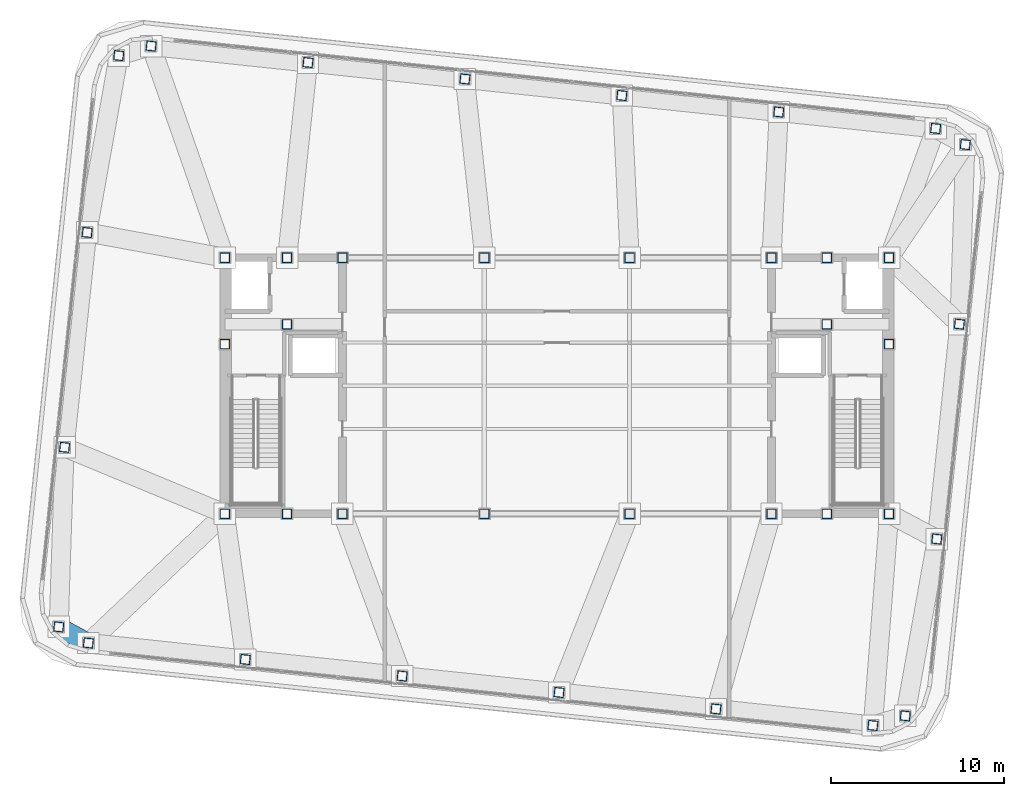
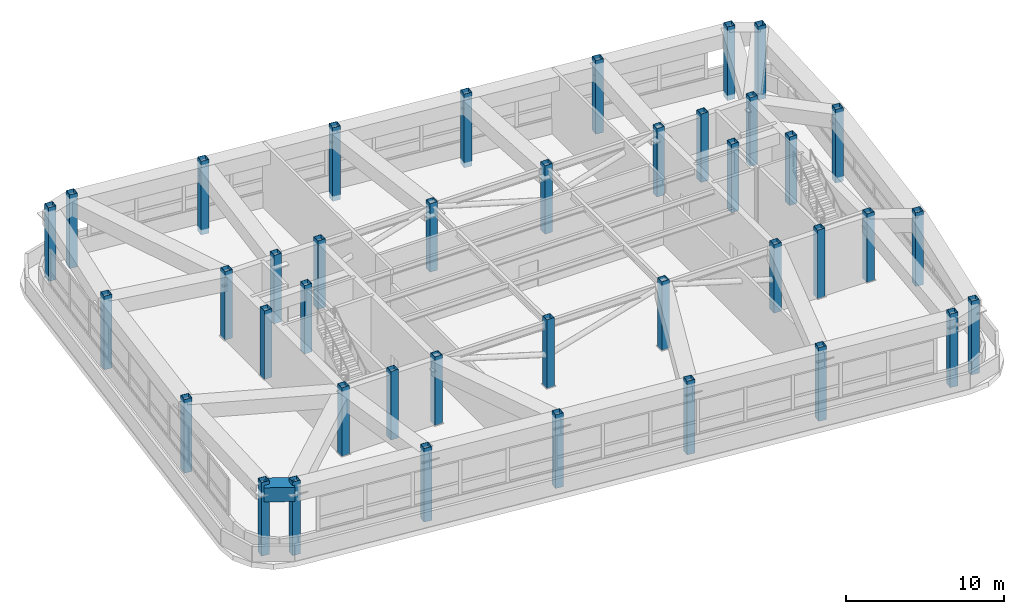
# One storey, part 1 of 22: 40 columns, 1 beam.
"""IFC4 building model written with IfcOpenShell, lengths in metres."""

from ifc_helpers import new_model, si_unit, direction, frame, origin, origin_2d, place, context, subcontext, project, spatial, hollow_rectangle, extrude, material, material_profile, profile_set, type_object, element, save


model = new_model("IFC4")

# Units and contexts
model_context = context("Model", 3, precision=1e-05, world=origin(), true_north=direction((0.0, 1.0)))
body_context = subcontext(model_context, "Body", "Model", "MODEL_VIEW")
ifc_project = project(units=[si_unit("LENGTHUNIT", "METRE"), si_unit("AREAUNIT", "SQUARE_METRE"), si_unit("VOLUMEUNIT", "CUBIC_METRE"), si_unit("PLANEANGLEUNIT", "RADIAN"), si_unit("MASSUNIT", "GRAM", prefix="KILO")], contexts=[model_context])

# Site, building, storey
site_placement = place(None, origin())
site = spatial("IfcSite", under=ifc_project, at=site_placement, CompositionType="ELEMENT")
building_placement = place(site_placement, origin())
building = spatial("IfcBuilding", under=site, at=building_placement, Name="Voryun Gate Residences", CompositionType="ELEMENT")
storey_placement = place(building_placement, frame((0.0, 0.0, 310.699951171875)))
storey = spatial("IfcBuildingStorey", under=building, at=storey_placement, Name="L77", CompositionType="ELEMENT", Elevation=310.699951171875)

# Columns
ifc_material_1 = material(Name="Steel SM355", Category="steel")
ifc_material_profile_1 = material_profile(ifc_material_1, hollow_rectangle(XDim=0.550048828125, YDim=0.550048828125, WallThickness=0.02197265625, at=origin_2d()), Name="BOX-550x550x22")
ifc_profile_set_1 = profile_set([ifc_material_profile_1], Name="Steel SM355")
column_type = type_object("IfcColumnType", Name="COL_CROWN_550", PredefinedType="COLUMN", material=ifc_profile_set_1)
for number, where, z_axis, x_axis, name in (
    (1, (-19.199951171875, -7.39990234375, 0.0), (0.0, 0.0, 1.0), (1.0, 0.0, 0.0), "L77 Core boundary column WC-SW"),
    (2, (-19.199951171875, 2.39990234375, 0.0), (0.0, 0.0, 1.0), (1.0, 0.0, 0.0), "L77 Core boundary column WC-MW"),
    (3, (-19.199951171875, 7.39990234375, 0.0), (0.0, 0.0, 1.0), (1.0, 0.0, 0.0), "L77 Core boundary column WC-NW"),
    (4, (-15.60009765625, -7.39990234375, 0.0), (0.0, 0.0, 1.0), (1.0, 0.0, 0.0), "L77 Core boundary column WC-SM"),
    (5, (-15.60009765625, 7.39990234375, 0.0), (0.0, 0.0, 1.0), (1.0, 0.0, 0.0), "L77 Core boundary column WC-NM"),
    (6, (-12.39990234375, -7.39990234375, 0.0), (0.0, 0.0, 1.0), (1.0, 0.0, 0.0), "L77 Core boundary column WC-SE"),
    (7, (-15.60009765625, 3.550048828125, 0.0), (0.0, 0.0, 1.0), (1.0, 0.0, 0.0), "L77 Core boundary column WC-MM"),
    (8, (-12.39990234375, 7.39990234375, 0.0), (0.0, 0.0, 1.0), (1.0, 0.0, 0.0), "L77 Core boundary column WC-NE"),
    (9, (12.39990234375, -7.39990234375, 0.0), (0.0, 0.0, 1.0), (1.0, 0.0, 0.0), "L77 Core boundary column EC-SW"),
    (10, (15.60009765625, 3.550048828125, 0.0), (0.0, 0.0, 1.0), (1.0, 0.0, 0.0), "L77 Core boundary column EC-MM"),
    (11, (12.39990234375, 7.39990234375, 0.0), (0.0, 0.0, 1.0), (1.0, 0.0, 0.0), "L77 Core boundary column EC-NW"),
    (12, (15.60009765625, -7.39990234375, 0.0), (0.0, 0.0, 1.0), (1.0, 0.0, 0.0), "L77 Core boundary column EC-SM"),
    (13, (15.60009765625, 7.39990234375, 0.0), (0.0, 0.0, 1.0), (1.0, 0.0, 0.0), "L77 Core boundary column EC-NM"),
    (14, (19.199951171875, -7.39990234375, 0.0), (0.0, 0.0, 1.0), (1.0, 0.0, 0.0), "L77 Core boundary column EC-SE"),
    (15, (19.199951171875, 2.39990234375, 0.0), (0.0, 0.0, 1.0), (1.0, 0.0, 0.0), "L77 Core boundary column EC-ME"),
    (16, (19.199951171875, 7.39990234375, 0.0), (0.0, 0.0, 1.0), (1.0, 0.0, 0.0), "L77 Core boundary column EC-NE"),
    (17, (-4.199951171875, -7.39990234375, 0.0), (0.0, 0.0, 1.0), (1.0, 0.0, 0.0), "L77 Interior spine column SP-WS"),
    (18, (-4.199951171875, 7.39990234375, 0.0), (0.0, 0.0, 1.0), (1.0, 0.0, 0.0), "L77 Interior spine column SP-WN"),
    (19, (4.199951171875, -7.39990234375, 0.0), (0.0, 0.0, 1.0), (1.0, 0.0, 0.0), "L77 Interior spine column SP-ES"),
    (20, (4.199951171875, 7.39990234375, 0.0), (0.0, 0.0, 1.0), (1.0, 0.0, 0.0), "L77 Interior spine column SP-EN"),
):
    element("IfcColumn", number, at=place(storey_placement, frame(where, z_axis=z_axis, x_axis=x_axis)), inside=storey, type_object=column_type, Name=name, PredefinedType="COLUMN", context=body_context, shape_type="SweptSolid", body=[
        extrude(hollow_rectangle(XDim=0.550048828125, YDim=0.550048828125, WallThickness=0.02197265625, at=origin_2d()), origin(), (0.0, 0.0, 1.0), 5.300048828125),
    ])
for number, where, z_axis, x_axis, name in (
    (21, (-27.088623046875, -14.871826171875, -0.39990234375), (0.0, 0.0, 1.0), (0.994521895368, -0.104528463268, 0.0), "L77 Crown Frame column S1"),
    (22, (-18.0185546875, -15.824951171875, -0.39990234375), (0.0, 0.0, 1.0), (0.994521895368, -0.104528463268, 0.0), "L77 Crown Frame column S2"),
    (23, (-8.948486328125, -16.7783203125, -0.39990234375), (0.0, 0.0, 1.0), (0.994521895368, -0.104528463268, 0.0), "L77 Crown Frame column S3"),
    (24, (0.121337890625, -17.731689453125, -0.39990234375), (0.0, 0.0, 1.0), (0.994521895368, -0.104528463268, 0.0), "L77 Crown Frame column S4"),
    (25, (9.19140625, -18.684814453125, -0.39990234375), (0.0, 0.0, 1.0), (0.994521895368, -0.104528463268, 0.0), "L77 Crown Frame column S5"),
    (26, (18.261474609375, -19.63818359375, -0.39990234375), (0.0, 0.0, 1.0), (0.994521895368, -0.104528463268, 0.0), "L77 Crown Frame column S6"),
    (27, (20.1328125, -19.083984375, -0.39990234375), (0.0, 0.0, 1.0), (0.994521895368, -0.104528463268, 0.0), "L77 Crown Frame column CSE"),
    (28, (21.958251953125, -8.861572265625, -0.39990234375), (0.0, 0.0, 1.0), (0.994521895368, -0.104528463268, 0.0), "L77 Crown Frame column E1"),
    (29, (23.263916015625, 3.56201171875, -0.39990234375), (0.0, 0.0, 1.0), (0.994521895368, -0.104528463268, 0.0), "L77 Crown Frame column E2"),
    (30, (23.603759765625, 13.9404296875, -0.39990234375), (0.0, 0.0, 1.0), (0.994521895368, -0.104528463268, 0.0), "L77 Crown Frame column CNE"),
    (31, (21.888671875, 14.871826171875, -0.39990234375), (0.0, 0.0, 1.0), (0.994521895368, -0.104528463268, 0.0), "L77 Crown Frame column N1"),
    (32, (12.818603515625, 15.824951171875, -0.39990234375), (0.0, 0.0, 1.0), (0.994521895368, -0.104528463268, 0.0), "L77 Crown Frame column N2"),
    (33, (3.74853515625, 16.7783203125, -0.39990234375), (0.0, 0.0, 1.0), (0.994521895368, -0.104528463268, 0.0), "L77 Crown Frame column N3"),
    (34, (-5.321533203125, 17.731689453125, -0.39990234375), (0.0, 0.0, 1.0), (0.994521895368, -0.104528463268, 0.0), "L77 Crown Frame column N4"),
    (35, (-14.3916015625, 18.684814453125, -0.39990234375), (0.0, 0.0, 1.0), (0.994521895368, -0.104528463268, 0.0), "L77 Crown Frame column N5"),
    (36, (-23.46142578125, 19.63818359375, -0.39990234375), (0.0, 0.0, 1.0), (0.994521895368, -0.104528463268, 0.0), "L77 Crown Frame column N6"),
    (37, (-25.332763671875, 19.083984375, -0.39990234375), (0.0, 0.0, 1.0), (0.994521895368, -0.104528463268, 0.0), "L77 Crown Frame column CNW"),
    (38, (-27.158203125, 8.861572265625, -0.39990234375), (0.0, 0.0, 1.0), (0.994521895368, -0.104528463268, 0.0), "L77 Crown Frame column W1"),
    (39, (-28.464111328125, -3.56201171875, -0.39990234375), (0.0, 0.0, 1.0), (0.994521895368, -0.104528463268, 0.0), "L77 Crown Frame column W2"),
    (40, (-28.8037109375, -13.9404296875, -0.39990234375), (0.0, 0.0, 1.0), (0.994521895368, -0.104528463268, 0.0), "L77 Crown Frame column CSW"),
):
    element("IfcColumn", number, at=place(storey_placement, frame(where, z_axis=z_axis, x_axis=x_axis)), inside=storey, type_object=column_type, Name=name, PredefinedType="COLUMN", context=body_context, shape_type="SweptSolid", body=[
        extrude(hollow_rectangle(XDim=0.550048828125, YDim=0.550048828125, WallThickness=0.02197265625, at=origin_2d()), origin(), (0.0, 0.0, 1.0), 5.699951171875),
    ])

# Beam
ifc_material_2 = material(Name="Steel SM420", Category="steel")
ifc_material_profile_2 = material_profile(ifc_material_2, hollow_rectangle(XDim=1.10009765625, YDim=1.10009765625, WallThickness=0.035888671875, at=origin_2d()), Name="BOX-1100x1100x36")
ifc_profile_set_2 = profile_set([ifc_material_profile_2], Name="Steel SM420")
beam_type = type_object("IfcBeamType", Name="BM_ARCH_RIB", PredefinedType="USERDEFINED", material=ifc_profile_set_2)
beam_placement = place(storey_placement, frame((-28.8037109375, -13.9404296875, 4.47509765625), z_axis=(0.87877849121, -0.477229885262, 0.0), x_axis=(0.477229885262, 0.87877849121, 0.0)))
element("IfcBeam", 41, at=beam_placement, inside=storey, type_object=beam_type, Name="BM-L77-SPAND-20", ObjectType="GIRDER", PredefinedType="USERDEFINED", context=body_context, shape_type="SweptSolid", body=[
    extrude(hollow_rectangle(XDim=1.10009765625, YDim=1.10009765625, WallThickness=0.035888671875, at=origin_2d()), origin(), (0.0, 0.0, 1.0), 1.95166015625),
])

save(model, "model.ifc")
